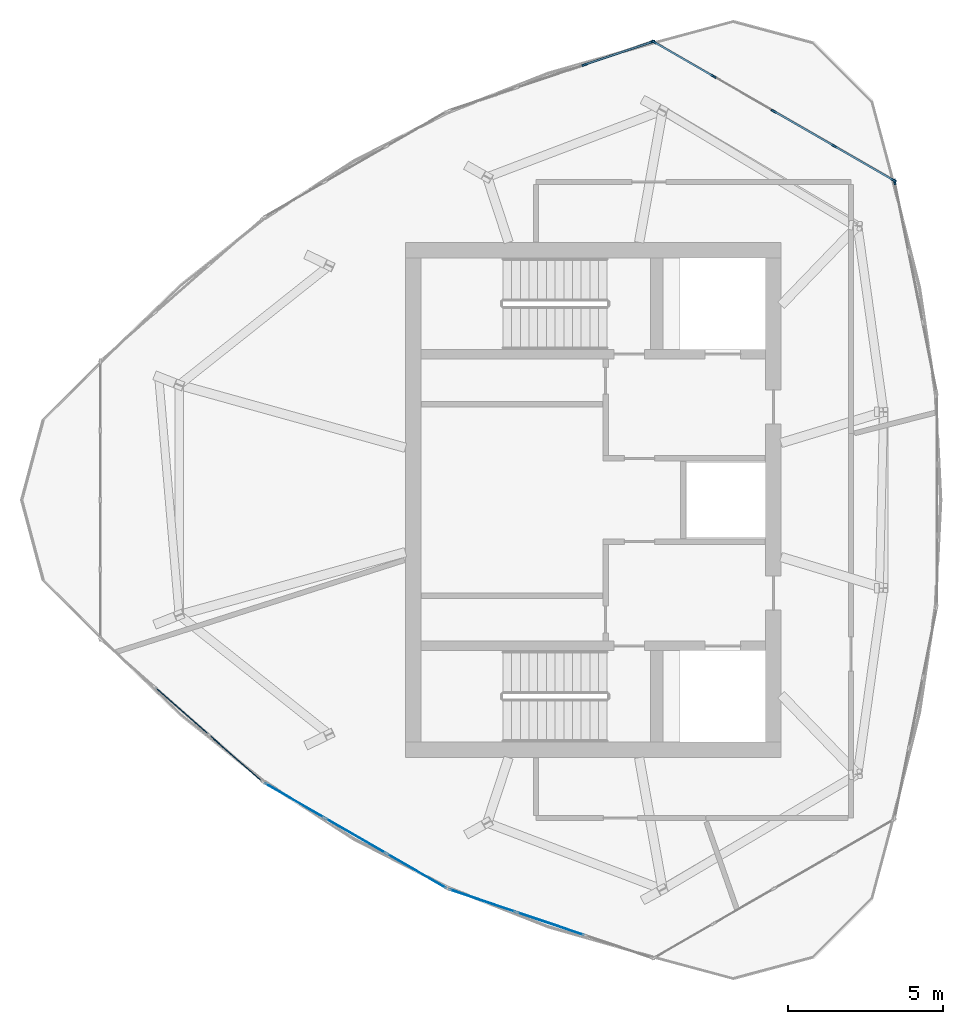
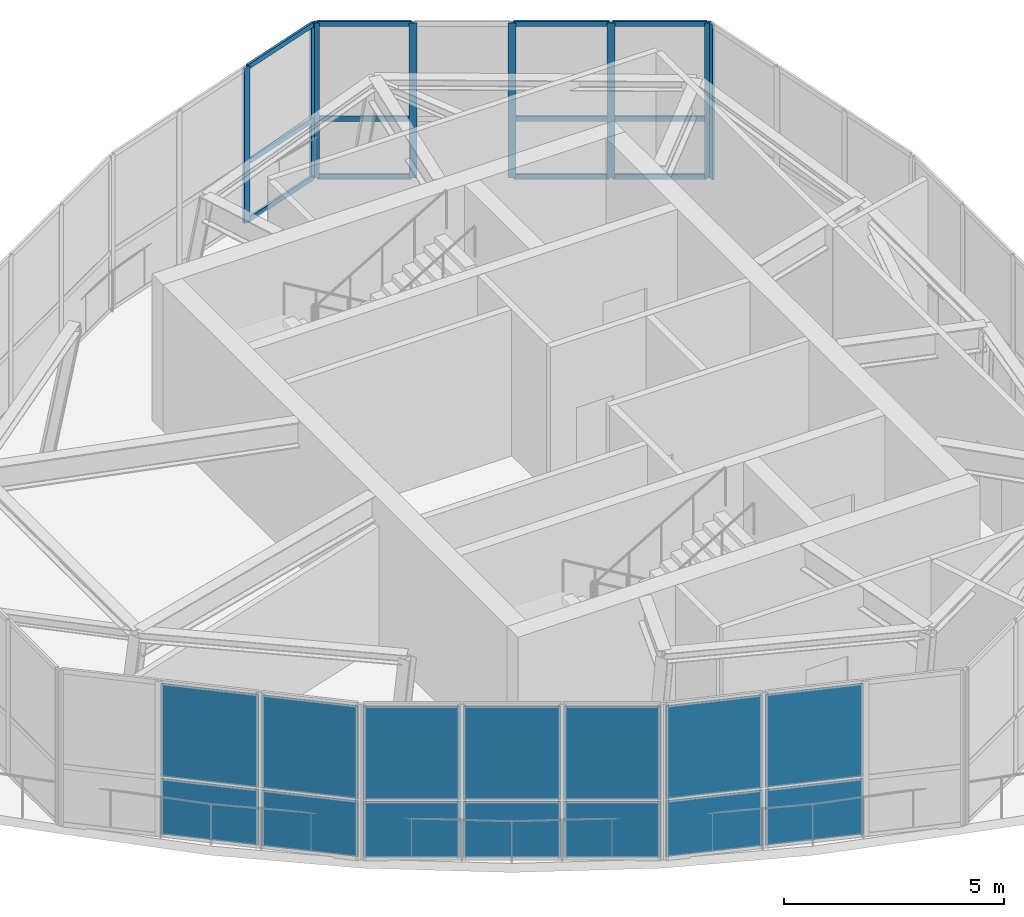
# One storey, part 5 of 11: 20 members, 14 plates, 6 elements without a shape of their own.
"""IFC4 building model written with IfcOpenShell, lengths in metres."""

from ifc_helpers import new_model, si_unit, direction, frame, origin, origin_2d, place, context, subcontext, project, spatial, rectangle, extrude, source, transform, mapped, material, layer, layer_set, material_profile, profile_set, type_object, element, aggregate, save


model = new_model("IFC4")

# Units and contexts
model_context = context("Model", 3, precision=1e-05, world=origin(), true_north=direction((0.0, 1.0)))
body_context = subcontext(model_context, "Body", "Model", "MODEL_VIEW")
ifc_project = project(units=[si_unit("LENGTHUNIT", "METRE"), si_unit("AREAUNIT", "SQUARE_METRE"), si_unit("VOLUMEUNIT", "CUBIC_METRE"), si_unit("PLANEANGLEUNIT", "RADIAN"), si_unit("MASSUNIT", "GRAM", prefix="KILO")], contexts=[model_context])

# Site, building, storey
site_placement = place(None, origin())
site = spatial("IfcSite", under=ifc_project, at=site_placement, CompositionType="ELEMENT")
building_placement = place(site_placement, origin())
building = spatial("IfcBuilding", under=site, at=building_placement, Name="Qafzar Sky-Pleat Residences", CompositionType="ELEMENT")
storey_placement = place(building_placement, frame((0.0, 0.0, 257.5)))
storey = spatial("IfcBuildingStorey", under=building, at=storey_placement, Name="L77 Crown", CompositionType="ELEMENT", Elevation=257.5)

# Curtain wall, member
ifc_material_1 = material(Name="Anodised bronze aluminium framing", Category="aluminium")
ifc_layer_1 = layer(ifc_material_1, 0.179931640625)
ifc_layer_set_1 = layer_set([ifc_layer_1], Name="Anodised bronze aluminium framing")
curtain_wall_type = type_object("IfcCurtainWallType", Name="CW-SYS-06", PredefinedType="NOTDEFINED", material=ifc_layer_set_1)
curtain_wall_1_placement = place(storey_placement, origin())
curtain_wall_1 = element("IfcCurtainWall", 1, at=curtain_wall_1_placement, inside=storey, type_object=curtain_wall_type, Name="L77 Crown CW-06 Curtain Wall CW-CROWN-02-08", PredefinedType="NOTDEFINED")
ifc_material_2 = material(Name="Anodised bronze aluminium", Category="aluminium")
ifc_material_profile_1 = material_profile(ifc_material_2, rectangle(XDim=0.06005859375, YDim=0.179931640625, at=origin_2d()), Name="ALU MULLION 60x180")
ifc_profile_set_1 = profile_set([ifc_material_profile_1], Name="Anodised bronze aluminium")
member_type_1 = type_object("IfcMemberType", Name="CWM-06", PredefinedType="MULLION", material=ifc_profile_set_1)
shared_shape_1 = source(origin(), body_context, "Body", "SweptSolid", [
    extrude(rectangle(XDim=0.06005859375, YDim=0.179931640625, at=origin_2d()), origin(), (0.0, 0.0, 1.0), 4.300048828125),
])
member_1_placement = place(storey_placement, frame((40.05859375, 36.2509765625, 0.0), z_axis=(0.0, 0.0, 1.0), x_axis=(-0.980578474476, -0.196127140892, 0.0)))
member_1 = element("IfcMember", 2, at=member_1_placement, type_object=member_type_1, Name="CW-06 mullion 4", PredefinedType="MULLION", context=body_context, shape_type="MappedRepresentation", body=[
    mapped(shared_shape_1, transform((0.0, 0.0, 0.0), x_axis=(1.0, 0.0, 0.0), y_axis=(0.0, 1.0, 0.0), z_axis=(0.0, 0.0, 1.0), scale=1.0)),
])
aggregate(curtain_wall_1, [member_1])

# Curtain wall, members
curtain_wall_2_placement = place(storey_placement, origin())
curtain_wall_2 = element("IfcCurtainWall", 3, at=curtain_wall_2_placement, inside=storey, type_object=curtain_wall_type, Name="L77 Crown CW-06 Curtain Wall CW-CROWN-02-09", PredefinedType="NOTDEFINED")
member_2_placement = place(storey_placement, frame((40.026611328125, 36.29541015625, 0.0), z_axis=(0.0, 0.0, 1.0), x_axis=(-0.500002817009, -0.866023777377, 0.0)))
member_2 = element("IfcMember", 4, at=member_2_placement, type_object=member_type_1, Name="CW-06 mullion 1", PredefinedType="MULLION", context=body_context, shape_type="MappedRepresentation", body=[
    mapped(shared_shape_1, transform((0.0, 0.0, 0.0), x_axis=(1.0, 0.0, 0.0), y_axis=(0.0, 1.0, 0.0), z_axis=(0.0, 0.0, 1.0), scale=1.0)),
])
member_3_placement = place(storey_placement, frame((38.109619140625, 37.402099609375, 0.0), z_axis=(0.0, 0.0, 1.0), x_axis=(-0.500002817009, -0.866023777377, 0.0)))
member_3 = element("IfcMember", 5, at=member_3_placement, type_object=member_type_1, Name="CW-06 mullion 2", PredefinedType="MULLION", context=body_context, shape_type="MappedRepresentation", body=[
    mapped(shared_shape_1, transform((0.0, 0.0, 0.0), x_axis=(1.0, 0.0, 0.0), y_axis=(0.0, 1.0, 0.0), z_axis=(0.0, 0.0, 1.0), scale=1.0)),
])
member_4_placement = place(storey_placement, frame((36.166748046875, 38.52392578125, 0.0), z_axis=(0.0, 0.0, 1.0), x_axis=(-0.500002817009, -0.866023777377, 0.0)))
member_4 = element("IfcMember", 6, at=member_4_placement, type_object=member_type_1, Name="CW-06 mullion 3", PredefinedType="MULLION", context=body_context, shape_type="MappedRepresentation", body=[
    mapped(shared_shape_1, transform((0.0, 0.0, 0.0), x_axis=(1.0, 0.0, 0.0), y_axis=(0.0, 1.0, 0.0), z_axis=(0.0, 0.0, 1.0), scale=1.0)),
])
member_5_placement = place(storey_placement, frame((34.2236328125, 39.645751953125, 0.0), z_axis=(0.0, 0.0, 1.0), x_axis=(-0.500002817009, -0.866023777377, 0.0)))
member_5 = element("IfcMember", 7, at=member_5_placement, type_object=member_type_1, Name="CW-06 mullion 4", PredefinedType="MULLION", context=body_context, shape_type="MappedRepresentation", body=[
    mapped(shared_shape_1, transform((0.0, 0.0, 0.0), x_axis=(1.0, 0.0, 0.0), y_axis=(0.0, 1.0, 0.0), z_axis=(0.0, 0.0, 1.0), scale=1.0)),
])
member_6_placement = place(storey_placement, frame((32.306640625, 40.752685546875, 0.0), z_axis=(0.0, 0.0, 1.0), x_axis=(-0.500002817009, -0.866023777377, 0.0)))
member_6 = element("IfcMember", 8, at=member_6_placement, type_object=member_type_1, Name="CW-06 mullion 5", PredefinedType="MULLION", context=body_context, shape_type="MappedRepresentation", body=[
    mapped(shared_shape_1, transform((0.0, 0.0, 0.0), x_axis=(1.0, 0.0, 0.0), y_axis=(0.0, 1.0, 0.0), z_axis=(0.0, 0.0, 1.0), scale=1.0)),
])

curtain_wall_3_placement = place(storey_placement, origin())
curtain_wall_3 = element("IfcCurtainWall", 9, at=curtain_wall_3_placement, inside=storey, type_object=curtain_wall_type, Name="L77 Crown CW-06 Curtain Wall CW-CROWN-02-10", PredefinedType="NOTDEFINED")
member_7_placement = place(storey_placement, frame((32.252197265625, 40.758056640625, 0.0), z_axis=(0.0, 0.0, 1.0), x_axis=(0.320448247802, -0.947266024135, 0.0)))
member_7 = element("IfcMember", 10, at=member_7_placement, type_object=member_type_1, Name="CW-06 mullion 1", PredefinedType="MULLION", context=body_context, shape_type="MappedRepresentation", body=[
    mapped(shared_shape_1, transform((0.0, 0.0, 0.0), x_axis=(1.0, 0.0, 0.0), y_axis=(0.0, 1.0, 0.0), z_axis=(0.0, 0.0, 1.0), scale=1.0)),
])
member_8_placement = place(storey_placement, frame((30.07373046875, 40.02099609375, 0.0), z_axis=(0.0, 0.0, 1.0), x_axis=(0.320448247802, -0.947266024135, 0.0)))
member_8 = element("IfcMember", 11, at=member_8_placement, type_object=member_type_1, Name="CW-06 mullion 2", PredefinedType="MULLION", context=body_context, shape_type="MappedRepresentation", body=[
    mapped(shared_shape_1, transform((0.0, 0.0, 0.0), x_axis=(1.0, 0.0, 0.0), y_axis=(0.0, 1.0, 0.0), z_axis=(0.0, 0.0, 1.0), scale=1.0)),
])

# Member
ifc_material_profile_2 = material_profile(ifc_material_2, rectangle(XDim=0.06005859375, YDim=0.135009765625, at=origin_2d()), Name="ALU TRANSOM 60x135")
ifc_profile_set_2 = profile_set([ifc_material_profile_2], Name="Anodised bronze aluminium")
member_type_2 = type_object("IfcMemberType", Name="CWT-06", PredefinedType="USERDEFINED", material=ifc_profile_set_2)
shared_shape_2 = source(origin(), body_context, "Body", "SweptSolid", [
    extrude(rectangle(XDim=0.06005859375, YDim=0.135009765625, at=origin_2d()), origin(), (0.0, 0.0, 1.0), 2.153564453125),
])
member_9_placement = place(storey_placement, frame((40.000732421875, 36.310302734375, 0.030029296875), z_axis=(-0.865994903821, 0.500052823767, 0.0), x_axis=(-0.500052823767, -0.865994903821, 0.0)))
member_9 = element("IfcMember", 12, at=member_9_placement, type_object=member_type_2, Name="CW-06 transom 1.1", ObjectType="TRANSOM", PredefinedType="USERDEFINED", context=body_context, shape_type="MappedRepresentation", body=[
    mapped(shared_shape_2, transform((0.0, 0.0, 0.0), x_axis=(1.0, 0.0, 0.0), y_axis=(0.0, 1.0, 0.0), z_axis=(0.0, 0.0, 1.0), scale=1.0)),
])

member_10_placement = place(storey_placement, frame((40.000732421875, 36.310302734375, 1.634033203125), z_axis=(-0.865994903821, 0.500052823767, 0.0), x_axis=(-0.500052823767, -0.865994903821, 0.0)))
member_10 = element("IfcMember", 13, at=member_10_placement, type_object=member_type_2, Name="CW-06 transom 1.2", ObjectType="TRANSOM", PredefinedType="USERDEFINED", context=body_context, shape_type="MappedRepresentation", body=[
    mapped(shared_shape_2, transform((0.0, 0.0, 0.0), x_axis=(1.0, 0.0, 0.0), y_axis=(0.0, 1.0, 0.0), z_axis=(0.0, 0.0, 1.0), scale=1.0)),
])

member_11_placement = place(storey_placement, frame((40.000732421875, 36.310302734375, 4.27001953125), z_axis=(-0.865994903821, 0.500052823767, 0.0), x_axis=(-0.500052823767, -0.865994903821, 0.0)))
member_11 = element("IfcMember", 14, at=member_11_placement, type_object=member_type_2, Name="CW-06 transom 1.3", ObjectType="TRANSOM", PredefinedType="USERDEFINED", context=body_context, shape_type="MappedRepresentation", body=[
    mapped(shared_shape_2, transform((0.0, 0.0, 0.0), x_axis=(1.0, 0.0, 0.0), y_axis=(0.0, 1.0, 0.0), z_axis=(0.0, 0.0, 1.0), scale=1.0)),
])

member_12_placement = place(storey_placement, frame((34.19775390625, 39.660888671875, 0.030029296875), z_axis=(-0.866043994353, 0.499967798808, 0.0), x_axis=(-0.499967798808, -0.866043994353, 0.0)))
member_12 = element("IfcMember", 15, at=member_12_placement, type_object=member_type_2, Name="CW-06 transom 4.1", ObjectType="TRANSOM", PredefinedType="USERDEFINED", context=body_context, shape_type="MappedRepresentation", body=[
    mapped(shared_shape_2, transform((0.0, 0.0, 0.0), x_axis=(1.0, 0.0, 0.0), y_axis=(0.0, 1.0, 0.0), z_axis=(0.0, 0.0, 1.0), scale=1.0)),
])

member_13_placement = place(storey_placement, frame((34.19775390625, 39.660888671875, 1.634033203125), z_axis=(-0.866043994353, 0.499967798808, 0.0), x_axis=(-0.499967798808, -0.866043994353, 0.0)))
member_13 = element("IfcMember", 16, at=member_13_placement, type_object=member_type_2, Name="CW-06 transom 4.2", ObjectType="TRANSOM", PredefinedType="USERDEFINED", context=body_context, shape_type="MappedRepresentation", body=[
    mapped(shared_shape_2, transform((0.0, 0.0, 0.0), x_axis=(1.0, 0.0, 0.0), y_axis=(0.0, 1.0, 0.0), z_axis=(0.0, 0.0, 1.0), scale=1.0)),
])

member_14_placement = place(storey_placement, frame((34.19775390625, 39.660888671875, 4.27001953125), z_axis=(-0.866043994353, 0.499967798808, 0.0), x_axis=(-0.499967798808, -0.866043994353, 0.0)))
member_14 = element("IfcMember", 17, at=member_14_placement, type_object=member_type_2, Name="CW-06 transom 4.3", ObjectType="TRANSOM", PredefinedType="USERDEFINED", context=body_context, shape_type="MappedRepresentation", body=[
    mapped(shared_shape_2, transform((0.0, 0.0, 0.0), x_axis=(1.0, 0.0, 0.0), y_axis=(0.0, 1.0, 0.0), z_axis=(0.0, 0.0, 1.0), scale=1.0)),
])

shared_shape_3 = source(origin(), body_context, "Body", "SweptSolid", [
    extrude(rectangle(XDim=0.06005859375, YDim=0.135009765625, at=origin_2d()), origin(), (0.0, 0.0, 1.0), 2.18359375),
])
member_15_placement = place(storey_placement, frame((38.083740234375, 37.417236328125, 0.030029296875), z_axis=(-0.866032916588, 0.499986987217, 0.0), x_axis=(-0.499986987217, -0.866032916588, 0.0)))
member_15 = element("IfcMember", 18, at=member_15_placement, type_object=member_type_2, Name="CW-06 transom 2.1", ObjectType="TRANSOM", PredefinedType="USERDEFINED", context=body_context, shape_type="MappedRepresentation", body=[
    mapped(shared_shape_3, transform((0.0, 0.0, 0.0), x_axis=(1.0, 0.0, 0.0), y_axis=(0.0, 1.0, 0.0), z_axis=(0.0, 0.0, 1.0), scale=1.0)),
])

member_16_placement = place(storey_placement, frame((38.083740234375, 37.417236328125, 1.634033203125), z_axis=(-0.866032916588, 0.499986987217, 0.0), x_axis=(-0.499986987217, -0.866032916588, 0.0)))
member_16 = element("IfcMember", 19, at=member_16_placement, type_object=member_type_2, Name="CW-06 transom 2.2", ObjectType="TRANSOM", PredefinedType="USERDEFINED", context=body_context, shape_type="MappedRepresentation", body=[
    mapped(shared_shape_3, transform((0.0, 0.0, 0.0), x_axis=(1.0, 0.0, 0.0), y_axis=(0.0, 1.0, 0.0), z_axis=(0.0, 0.0, 1.0), scale=1.0)),
])

member_17_placement = place(storey_placement, frame((38.083740234375, 37.417236328125, 4.27001953125), z_axis=(-0.866032916588, 0.499986987217, 0.0), x_axis=(-0.499986987217, -0.866032916588, 0.0)))
member_17 = element("IfcMember", 20, at=member_17_placement, type_object=member_type_2, Name="CW-06 transom 2.3", ObjectType="TRANSOM", PredefinedType="USERDEFINED", context=body_context, shape_type="MappedRepresentation", body=[
    mapped(shared_shape_3, transform((0.0, 0.0, 0.0), x_axis=(1.0, 0.0, 0.0), y_axis=(0.0, 1.0, 0.0), z_axis=(0.0, 0.0, 1.0), scale=1.0)),
])

aggregate(curtain_wall_2, [member_2, member_3, member_4, member_5, member_6, member_9, member_10, member_11, member_15, member_16, member_17, member_12, member_13, member_14])

shared_shape_4 = source(origin(), body_context, "Body", "SweptSolid", [
    extrude(rectangle(XDim=0.06005859375, YDim=0.135009765625, at=origin_2d()), origin(), (0.0, 0.0, 1.0), 2.23974609375),
])
member_18_placement = place(storey_placement, frame((32.223876953125, 40.748291015625, 0.030029296875), z_axis=(-0.947289790121, -0.320377985405, 0.0), x_axis=(0.320377985405, -0.947289790121, 0.0)))
member_18 = element("IfcMember", 21, at=member_18_placement, type_object=member_type_2, Name="CW-06 transom 1.1", ObjectType="TRANSOM", PredefinedType="USERDEFINED", context=body_context, shape_type="MappedRepresentation", body=[
    mapped(shared_shape_4, transform((0.0, 0.0, 0.0), x_axis=(1.0, 0.0, 0.0), y_axis=(0.0, 1.0, 0.0), z_axis=(0.0, 0.0, 1.0), scale=1.0)),
])

member_19_placement = place(storey_placement, frame((32.223876953125, 40.748291015625, 1.634033203125), z_axis=(-0.947289790121, -0.320377985405, 0.0), x_axis=(0.320377985405, -0.947289790121, 0.0)))
member_19 = element("IfcMember", 22, at=member_19_placement, type_object=member_type_2, Name="CW-06 transom 1.2", ObjectType="TRANSOM", PredefinedType="USERDEFINED", context=body_context, shape_type="MappedRepresentation", body=[
    mapped(shared_shape_4, transform((0.0, 0.0, 0.0), x_axis=(1.0, 0.0, 0.0), y_axis=(0.0, 1.0, 0.0), z_axis=(0.0, 0.0, 1.0), scale=1.0)),
])

member_20_placement = place(storey_placement, frame((32.223876953125, 40.748291015625, 4.27001953125), z_axis=(-0.947289790121, -0.320377985405, 0.0), x_axis=(0.320377985405, -0.947289790121, 0.0)))
member_20 = element("IfcMember", 23, at=member_20_placement, type_object=member_type_2, Name="CW-06 transom 1.3", ObjectType="TRANSOM", PredefinedType="USERDEFINED", context=body_context, shape_type="MappedRepresentation", body=[
    mapped(shared_shape_4, transform((0.0, 0.0, 0.0), x_axis=(1.0, 0.0, 0.0), y_axis=(0.0, 1.0, 0.0), z_axis=(0.0, 0.0, 1.0), scale=1.0)),
])

aggregate(curtain_wall_3, [member_7, member_8, member_18, member_19, member_20])

# Curtain wall, plate
curtain_wall_4_placement = place(storey_placement, origin())
curtain_wall_4 = element("IfcCurtainWall", 24, at=curtain_wall_4_placement, inside=storey, type_object=curtain_wall_type, Name="L77 Crown CW-06 Curtain Wall CW-CROWN-02-02", PredefinedType="NOTDEFINED")
ifc_material_3 = material(Name="Solar-control double low-E glazing", Category="glass")
ifc_layer_2 = layer(ifc_material_3, 0.02587890625)
ifc_layer_set_2 = layer_set([ifc_layer_2], Name="Solar-control double low-E glazing")
plate_type = type_object("IfcPlateType", Name="CWP-06", PredefinedType="CURTAIN_PANEL", material=ifc_layer_set_2)
shared_shape_5 = source(origin(), body_context, "Body", "SweptSolid", [
    extrude(rectangle(XDim=2.23974609375, YDim=0.02587890625, at=origin_2d()), origin(), (0.0, 0.0, 1.0), 1.5439453125),
])
plate_1_placement = place(storey_placement, frame((18.83837890625, 17.677734375, 0.06005859375), z_axis=(0.0, 0.0, 1.0), x_axis=(0.751152429383, -0.660128796397, 0.0)))
plate_1 = element("IfcPlate", 25, at=plate_1_placement, type_object=plate_type, Name="CW-06 panel 3.1", PredefinedType="CURTAIN_PANEL", context=body_context, shape_type="MappedRepresentation", body=[
    mapped(shared_shape_5, transform((0.0, 0.0, 0.0), x_axis=(1.0, 0.0, 0.0), y_axis=(0.0, 1.0, 0.0), z_axis=(0.0, 0.0, 1.0), scale=1.0)),
])

curtain_wall_5_placement = place(storey_placement, origin())
curtain_wall_5 = element("IfcCurtainWall", 26, at=curtain_wall_5_placement, inside=storey, type_object=curtain_wall_type, Name="L77 Crown CW-06 Curtain Wall CW-CROWN-02-04", PredefinedType="NOTDEFINED")
plate_2_placement = place(storey_placement, frame((26.777587890625, 13.093994140625, 0.06005859375), z_axis=(0.0, 0.0, 1.0), x_axis=(0.947266024135, -0.320448247802, 0.0)))
plate_2 = element("IfcPlate", 27, at=plate_2_placement, type_object=plate_type, Name="CW-06 panel 1.1", PredefinedType="CURTAIN_PANEL", context=body_context, shape_type="MappedRepresentation", body=[
    mapped(shared_shape_5, transform((0.0, 0.0, 0.0), x_axis=(1.0, 0.0, 0.0), y_axis=(0.0, 1.0, 0.0), z_axis=(0.0, 0.0, 1.0), scale=1.0)),
])

# Plate
shared_shape_6 = source(origin(), body_context, "Body", "SweptSolid", [
    extrude(rectangle(XDim=2.23974609375, YDim=0.02587890625, at=origin_2d()), origin(), (0.0, 0.0, 1.0), 2.575927734375),
])
plate_3_placement = place(storey_placement, frame((18.83837890625, 17.677734375, 1.6640625), z_axis=(0.0, 0.0, 1.0), x_axis=(0.751152429383, -0.660128796397, 0.0)))
plate_3 = element("IfcPlate", 28, at=plate_3_placement, type_object=plate_type, Name="CW-06 panel 3.2", PredefinedType="CURTAIN_PANEL", context=body_context, shape_type="MappedRepresentation", body=[
    mapped(shared_shape_6, transform((0.0, 0.0, 0.0), x_axis=(1.0, 0.0, 0.0), y_axis=(0.0, 1.0, 0.0), z_axis=(0.0, 0.0, 1.0), scale=1.0)),
])

plate_4_placement = place(storey_placement, frame((26.777587890625, 13.093994140625, 1.6640625), z_axis=(0.0, 0.0, 1.0), x_axis=(0.947266024135, -0.320448247802, 0.0)))
plate_4 = element("IfcPlate", 29, at=plate_4_placement, type_object=plate_type, Name="CW-06 panel 1.2", PredefinedType="CURTAIN_PANEL", context=body_context, shape_type="MappedRepresentation", body=[
    mapped(shared_shape_6, transform((0.0, 0.0, 0.0), x_axis=(1.0, 0.0, 0.0), y_axis=(0.0, 1.0, 0.0), z_axis=(0.0, 0.0, 1.0), scale=1.0)),
])

shared_shape_7 = source(origin(), body_context, "Body", "SweptSolid", [
    extrude(rectangle(XDim=2.269775390625, YDim=0.02587890625, at=origin_2d()), origin(), (0.0, 0.0, 1.0), 1.5439453125),
])
plate_5_placement = place(storey_placement, frame((17.099609375, 19.205810546875, 0.06005859375), z_axis=(0.0, 0.0, 1.0), x_axis=(0.751152429383, -0.660128796397, 0.0)))
plate_5 = element("IfcPlate", 30, at=plate_5_placement, type_object=plate_type, Name="CW-06 panel 2.1", PredefinedType="CURTAIN_PANEL", context=body_context, shape_type="MappedRepresentation", body=[
    mapped(shared_shape_7, transform((0.0, 0.0, 0.0), x_axis=(1.0, 0.0, 0.0), y_axis=(0.0, 1.0, 0.0), z_axis=(0.0, 0.0, 1.0), scale=1.0)),
])

plate_6_placement = place(storey_placement, frame((28.970458984375, 12.352294921875, 0.06005859375), z_axis=(0.0, 0.0, 1.0), x_axis=(0.947266024135, -0.320448247802, 0.0)))
plate_6 = element("IfcPlate", 31, at=plate_6_placement, type_object=plate_type, Name="CW-06 panel 2.1", PredefinedType="CURTAIN_PANEL", context=body_context, shape_type="MappedRepresentation", body=[
    mapped(shared_shape_7, transform((0.0, 0.0, 0.0), x_axis=(1.0, 0.0, 0.0), y_axis=(0.0, 1.0, 0.0), z_axis=(0.0, 0.0, 1.0), scale=1.0)),
])

shared_shape_8 = source(origin(), body_context, "Body", "SweptSolid", [
    extrude(rectangle(XDim=2.269775390625, YDim=0.02587890625, at=origin_2d()), origin(), (0.0, 0.0, 1.0), 2.575927734375),
])
plate_7_placement = place(storey_placement, frame((17.099609375, 19.205810546875, 1.6640625), z_axis=(0.0, 0.0, 1.0), x_axis=(0.751152429383, -0.660128796397, 0.0)))
plate_7 = element("IfcPlate", 32, at=plate_7_placement, type_object=plate_type, Name="CW-06 panel 2.2", PredefinedType="CURTAIN_PANEL", context=body_context, shape_type="MappedRepresentation", body=[
    mapped(shared_shape_8, transform((0.0, 0.0, 0.0), x_axis=(1.0, 0.0, 0.0), y_axis=(0.0, 1.0, 0.0), z_axis=(0.0, 0.0, 1.0), scale=1.0)),
])

aggregate(curtain_wall_4, [plate_5, plate_7, plate_1, plate_3])

plate_8_placement = place(storey_placement, frame((28.970458984375, 12.352294921875, 1.6640625), z_axis=(0.0, 0.0, 1.0), x_axis=(0.947266024135, -0.320448247802, 0.0)))
plate_8 = element("IfcPlate", 33, at=plate_8_placement, type_object=plate_type, Name="CW-06 panel 2.2", PredefinedType="CURTAIN_PANEL", context=body_context, shape_type="MappedRepresentation", body=[
    mapped(shared_shape_8, transform((0.0, 0.0, 0.0), x_axis=(1.0, 0.0, 0.0), y_axis=(0.0, 1.0, 0.0), z_axis=(0.0, 0.0, 1.0), scale=1.0)),
])

aggregate(curtain_wall_5, [plate_2, plate_4, plate_6, plate_8])

# Curtain wall, plates
curtain_wall_6_placement = place(storey_placement, origin())
curtain_wall_6 = element("IfcCurtainWall", 34, at=curtain_wall_6_placement, inside=storey, type_object=curtain_wall_type, Name="L77 Crown CW-06 Curtain Wall CW-CROWN-02-03", PredefinedType="NOTDEFINED")
shared_shape_9 = source(origin(), body_context, "Body", "SweptSolid", [
    extrude(rectangle(XDim=2.194580078125, YDim=0.02587890625, at=origin_2d()), origin(), (0.0, 0.0, 1.0), 1.5439453125),
])
plate_9_placement = place(storey_placement, frame((20.726806640625, 16.3203125, 0.06005859375), z_axis=(0.0, 0.0, 1.0), x_axis=(0.866025706276, -0.499999476069, 0.0)))
plate_9 = element("IfcPlate", 35, at=plate_9_placement, type_object=plate_type, Name="CW-06 panel 1.1", PredefinedType="CURTAIN_PANEL", context=body_context, shape_type="MappedRepresentation", body=[
    mapped(shared_shape_9, transform((0.0, 0.0, 0.0), x_axis=(1.0, 0.0, 0.0), y_axis=(0.0, 1.0, 0.0), z_axis=(0.0, 0.0, 1.0), scale=1.0)),
])
plate_10_placement = place(storey_placement, frame((24.65771484375, 14.05078125, 0.06005859375), z_axis=(0.0, 0.0, 1.0), x_axis=(0.866025706276, -0.499999476069, 0.0)))
plate_10 = element("IfcPlate", 36, at=plate_10_placement, type_object=plate_type, Name="CW-06 panel 3.1", PredefinedType="CURTAIN_PANEL", context=body_context, shape_type="MappedRepresentation", body=[
    mapped(shared_shape_9, transform((0.0, 0.0, 0.0), x_axis=(1.0, 0.0, 0.0), y_axis=(0.0, 1.0, 0.0), z_axis=(0.0, 0.0, 1.0), scale=1.0)),
])
shared_shape_10 = source(origin(), body_context, "Body", "SweptSolid", [
    extrude(rectangle(XDim=2.194580078125, YDim=0.02587890625, at=origin_2d()), origin(), (0.0, 0.0, 1.0), 2.575927734375),
])
plate_11_placement = place(storey_placement, frame((20.726806640625, 16.3203125, 1.6640625), z_axis=(0.0, 0.0, 1.0), x_axis=(0.866025706276, -0.499999476069, 0.0)))
plate_11 = element("IfcPlate", 37, at=plate_11_placement, type_object=plate_type, Name="CW-06 panel 1.2", PredefinedType="CURTAIN_PANEL", context=body_context, shape_type="MappedRepresentation", body=[
    mapped(shared_shape_10, transform((0.0, 0.0, 0.0), x_axis=(1.0, 0.0, 0.0), y_axis=(0.0, 1.0, 0.0), z_axis=(0.0, 0.0, 1.0), scale=1.0)),
])
plate_12_placement = place(storey_placement, frame((24.65771484375, 14.05078125, 1.6640625), z_axis=(0.0, 0.0, 1.0), x_axis=(0.866025706276, -0.499999476069, 0.0)))
plate_12 = element("IfcPlate", 38, at=plate_12_placement, type_object=plate_type, Name="CW-06 panel 3.2", PredefinedType="CURTAIN_PANEL", context=body_context, shape_type="MappedRepresentation", body=[
    mapped(shared_shape_10, transform((0.0, 0.0, 0.0), x_axis=(1.0, 0.0, 0.0), y_axis=(0.0, 1.0, 0.0), z_axis=(0.0, 0.0, 1.0), scale=1.0)),
])
shared_shape_11 = source(origin(), body_context, "Body", "SweptSolid", [
    extrude(rectangle(XDim=2.224609375, YDim=0.02587890625, at=origin_2d()), origin(), (0.0, 0.0, 1.0), 1.5439453125),
])
plate_13_placement = place(storey_placement, frame((22.6923828125, 15.185546875, 0.06005859375), z_axis=(0.0, 0.0, 1.0), x_axis=(0.866025706276, -0.499999476069, 0.0)))
plate_13 = element("IfcPlate", 39, at=plate_13_placement, type_object=plate_type, Name="CW-06 panel 2.1", PredefinedType="CURTAIN_PANEL", context=body_context, shape_type="MappedRepresentation", body=[
    mapped(shared_shape_11, transform((0.0, 0.0, 0.0), x_axis=(1.0, 0.0, 0.0), y_axis=(0.0, 1.0, 0.0), z_axis=(0.0, 0.0, 1.0), scale=1.0)),
])
shared_shape_12 = source(origin(), body_context, "Body", "SweptSolid", [
    extrude(rectangle(XDim=2.224609375, YDim=0.02587890625, at=origin_2d()), origin(), (0.0, 0.0, 1.0), 2.575927734375),
])
plate_14_placement = place(storey_placement, frame((22.6923828125, 15.185546875, 1.6640625), z_axis=(0.0, 0.0, 1.0), x_axis=(0.866025706276, -0.499999476069, 0.0)))
plate_14 = element("IfcPlate", 40, at=plate_14_placement, type_object=plate_type, Name="CW-06 panel 2.2", PredefinedType="CURTAIN_PANEL", context=body_context, shape_type="MappedRepresentation", body=[
    mapped(shared_shape_12, transform((0.0, 0.0, 0.0), x_axis=(1.0, 0.0, 0.0), y_axis=(0.0, 1.0, 0.0), z_axis=(0.0, 0.0, 1.0), scale=1.0)),
])
aggregate(curtain_wall_6, [plate_9, plate_11, plate_13, plate_14, plate_10, plate_12])

save(model, "model.ifc")
